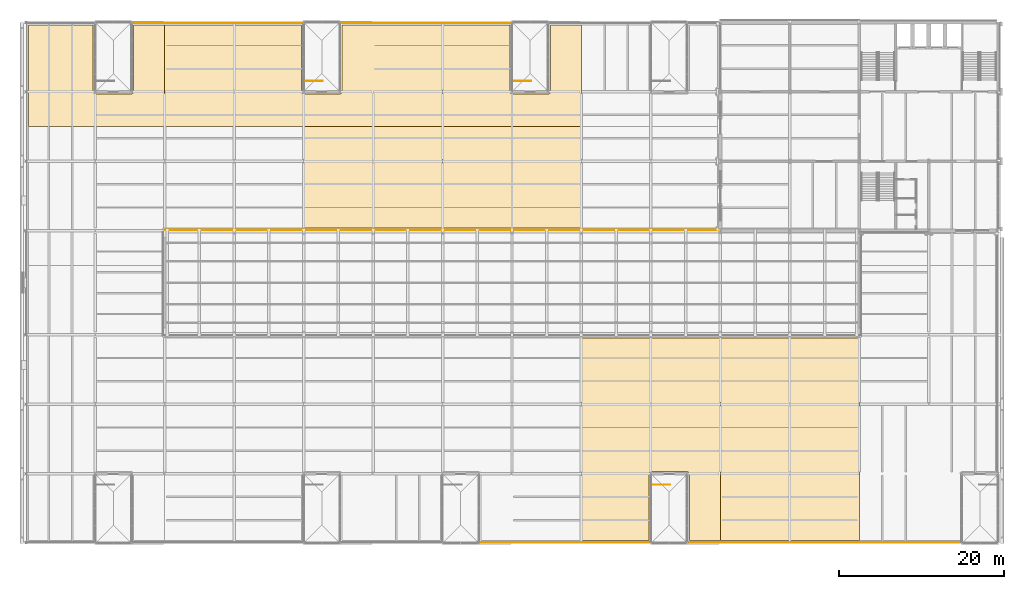
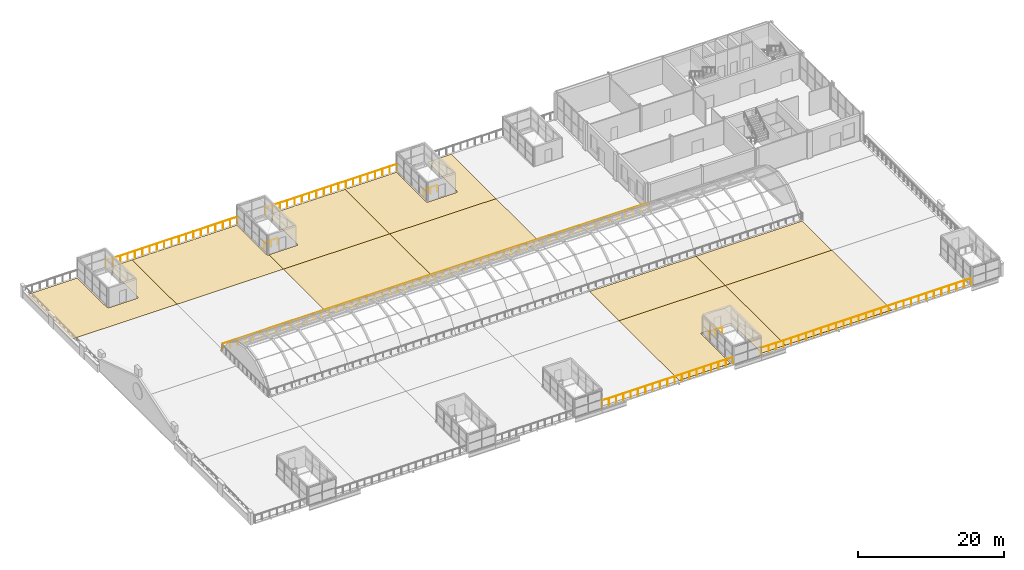
# One storey, part 52 of 58: 10 coverings, 8 railings.
"""IFC4 building model written with IfcOpenShell, lengths in metres."""

import ifcopenshell
import ifcopenshell.guid

model = None  # the IFC model being written
_history = None  # IfcOwnerHistory: only IFC2X3 demands one
_inside = {}  # id of a spatial element -> (the spatial element, [elements in it])
_under = {}  # id of a project, library or spatial element -> (it, [spatial elements below it])
_declared = {}  # id of a project -> (the project, [libraries it declares])
_typed = {}  # id of a type object -> (the type object, [elements of that type])
_made_of = {}  # id of a material, layer set ... -> (it, [elements and type objects made of it])


def new_model(schema):
    """Start an empty IFC model of exactly this schema.

    Asked for "IFC4X3", IfcOpenShell would pick the latest addendum, in which some entities
    have other attributes; the version numbers below select the first issue.
    IFC2X3 requires an IfcOwnerHistory on every rooted entity: one is made here for all.
    """
    global model, _history
    if schema == "IFC4X3":
        model = ifcopenshell.file(schema_version=(4, 3, 0, 0))
    else:
        model = ifcopenshell.file(schema=schema)
    _inside.clear()
    _under.clear()
    _declared.clear()
    _typed.clear()
    _made_of.clear()
    _history = None
    if model.schema == "IFC2X3":
        org = make("IfcOrganization", Name="unknown")
        user = make(
            "IfcPersonAndOrganization",
            ThePerson=make("IfcPerson", FamilyName="unknown"),
            TheOrganization=org,
        )
        app = make(
            "IfcApplication",
            ApplicationDeveloper=org,
            Version="unknown",
            ApplicationFullName="unknown",
            ApplicationIdentifier="unknown",
        )
        _history = make(
            "IfcOwnerHistory",
            OwningUser=user,
            OwningApplication=app,
            ChangeAction="ADDED",
            CreationDate=0,
        )
    return model


def make(cls, **values):
    """One entity of the class cls with the attributes given. An attribute that is None is left unset."""
    return model.create_entity(
        cls, **{name: value for name, value in values.items() if value is not None}
    )


def rooted(cls, **values):
    """An entity with a GlobalId (a new one), such as an element, a storey or a relation."""
    return make(cls, GlobalId=ifcopenshell.guid.new(), OwnerHistory=_history, **values)


def si_unit(unit_type, name, prefix=None):
    """IfcSIUnit, for example si_unit("LENGTHUNIT", "METRE", prefix="MILLI")."""
    return make("IfcSIUnit", UnitType=unit_type, Prefix=prefix, Name=name)


def assignment(units):
    """IfcUnitAssignment: the units of a project."""
    return None if units is None else make("IfcUnitAssignment", Units=units)


def point(xyz):
    """IfcCartesianPoint."""
    return None if xyz is None else make("IfcCartesianPoint", Coordinates=xyz)


def direction(xyz):
    """IfcDirection."""
    return None if xyz is None else make("IfcDirection", DirectionRatios=xyz)


def frame(location, z_axis=None, x_axis=None):
    """IfcAxis2Placement3D, a coordinate frame: its origin and axes. An axis left out is left unset."""
    return make(
        "IfcAxis2Placement3D",
        Location=point(location),
        Axis=direction(z_axis),
        RefDirection=direction(x_axis),
    )


def frame_2d(location, x_axis=None):
    """IfcAxis2Placement2D, a coordinate frame in the plane: its origin and x axis."""
    return make(
        "IfcAxis2Placement2D", Location=point(location), RefDirection=direction(x_axis)
    )


def origin():
    """The frame at (0, 0, 0) with its axes left unset."""
    return frame((0.0, 0.0, 0.0))


def origin_2d():
    """The frame at (0, 0) in the plane with its x axis left unset."""
    return frame_2d((0.0, 0.0))


def place(relative_to, where):
    """IfcLocalPlacement: puts the frame where relative to a parent placement (None: the world)."""
    return make(
        "IfcLocalPlacement", PlacementRelTo=relative_to, RelativePlacement=where
    )


def context(
    kind, dimensions, precision=None, world=None, true_north=None, identifier=None
):
    """IfcGeometricRepresentationContext, for example the 3D "Model" context."""
    return make(
        "IfcGeometricRepresentationContext",
        ContextIdentifier=identifier,
        ContextType=kind,
        CoordinateSpaceDimension=dimensions,
        Precision=precision,
        WorldCoordinateSystem=world,
        TrueNorth=true_north,
    )


def subcontext(parent, identifier, kind, view, scale=None):
    """IfcGeometricRepresentationSubContext, for example "Body" below "Model"."""
    return make(
        "IfcGeometricRepresentationSubContext",
        ContextIdentifier=identifier,
        ContextType=kind,
        ParentContext=parent,
        TargetScale=scale,
        TargetView=view,
    )


def project(units=None, contexts=None):
    """IfcProject with its units and contexts."""
    return rooted(
        "IfcProject",
        Name="project",
        RepresentationContexts=contexts,
        UnitsInContext=assignment(units),
    )


def spatial(cls, under=None, at=None, **own):
    """A site, building, storey or space (cls), placed at a placement, below another one or the project."""
    s = rooted(cls, ObjectPlacement=at, **own)
    if under is not None:
        _under.setdefault(under.id(), (under, []))[1].append(s)
    return s


def polyline(points):
    """IfcPolyline through the points."""
    return make("IfcPolyline", Points=[point(p) for p in points])


def profile(cls, at=None, kind="AREA", **sizes):
    """A parametric profile (cls). Its sizes go by their IFC names, for example OverallWidth=200.0."""
    return make(cls, ProfileType=kind, Position=at, **sizes)


def circle(**sizes):
    """IfcCircleProfileDef."""
    return profile("IfcCircleProfileDef", **sizes)


def outline(outer, holes=None, kind="AREA"):
    """IfcArbitraryClosedProfileDef: a profile drawn as a closed curve; with holes, ...WithVoids."""
    if holes is None:
        return make("IfcArbitraryClosedProfileDef", ProfileType=kind, OuterCurve=outer)
    return make(
        "IfcArbitraryProfileDefWithVoids",
        ProfileType=kind,
        OuterCurve=outer,
        InnerCurves=holes,
    )


def extrude(swept, where, along, depth):
    """IfcExtrudedAreaSolid: the profile swept, set in the frame where, extruded along a direction by depth."""
    return make(
        "IfcExtrudedAreaSolid",
        SweptArea=swept,
        Position=where,
        ExtrudedDirection=direction(along),
        Depth=depth,
    )


def shape(context_of_items, identifier, shape_type, items):
    """IfcShapeRepresentation: the items that make up one representation, for example the "Body"."""
    return make(
        "IfcShapeRepresentation",
        ContextOfItems=context_of_items,
        RepresentationIdentifier=identifier,
        RepresentationType=shape_type,
        Items=items,
    )


def material(Name=None, Category=None):
    """IfcMaterial."""
    return make("IfcMaterial", Name=Name, Category=Category)


def layer(
    of_material, thickness, ventilated=None, Name=None, Category=None, Priority=None
):
    """IfcMaterialLayer: one layer of a wall or slab, of a material (None: an air gap)."""
    return make(
        "IfcMaterialLayer",
        Material=of_material,
        LayerThickness=thickness,
        IsVentilated=ventilated,
        Name=Name,
        Category=Category,
        Priority=Priority,
    )


def layer_set(layers, Name=None):
    """IfcMaterialLayerSet."""
    return make("IfcMaterialLayerSet", MaterialLayers=layers, LayerSetName=Name)


def made_of(thing, what):
    """Note that an element or type object is made of a material, layer set ...; save() writes the relation."""
    if what is not None:
        _made_of.setdefault(what.id(), (what, []))[1].append(thing)
    return thing


def type_object(cls, material=None, **own):
    """A type object (cls), such as IfcWallType, which elements share."""
    return made_of(rooted(cls, **own), material)


def element(
    cls,
    number,
    at=None,
    inside=None,
    cuts=None,
    type_object=None,
    material=None,
    context=None,
    identifier="Body",
    shape_type=None,
    held_by="IfcProductDefinitionShape",
    body=None,
    shapes=None,
    **own,
):
    """One element of the class cls, such as IfcWall. Its Tag is "e" and its number.

    at: its placement. inside: the storey or other place that contains it. cuts: it is an
    opening in that element (IfcRelVoidsElement). A single representation is given by context,
    identifier, shape_type and body (its items); several are given by shapes. held_by: the class
    of the entity that holds the representations. save() writes the other relations.
    """
    e = rooted(cls, Tag="e%d" % number, ObjectPlacement=at, **own)
    if body is not None:
        shapes = [shape(context, identifier, shape_type, body)]
    if shapes is not None:
        e.Representation = make(held_by, Representations=shapes)
    if inside is not None:
        _inside.setdefault(inside.id(), (inside, []))[1].append(e)
    if cuts is not None:
        rooted(
            "IfcRelVoidsElement", RelatingBuildingElement=cuts, RelatedOpeningElement=e
        )
    if type_object is not None:
        _typed.setdefault(type_object.id(), (type_object, []))[1].append(e)
    return made_of(e, material)


def aggregate(whole, parts):
    """IfcRelAggregates: a whole, such as a stair, and the parts it consists of."""
    return rooted("IfcRelAggregates", RelatingObject=whole, RelatedObjects=parts)


def save(model, path):
    """Write the relations noted so far, then the file.

    IfcRelAggregates (storeys below a building ...), IfcRelContainedInSpatialStructure (elements
    in a storey), IfcRelDefinesByType, IfcRelAssociatesMaterial and IfcRelDeclares: one each for
    every whole, place, type object, material and project.
    """
    for whole, parts in _under.values():
        aggregate(whole, parts)
    for where, things in _inside.values():
        rooted(
            "IfcRelContainedInSpatialStructure",
            RelatedElements=things,
            RelatingStructure=where,
        )
    for kind, things in _typed.values():
        rooted("IfcRelDefinesByType", RelatedObjects=things, RelatingType=kind)
    for what, things in _made_of.values():
        rooted("IfcRelAssociatesMaterial", RelatedObjects=things, RelatingMaterial=what)
    for by, libraries in _declared.values():
        rooted("IfcRelDeclares", RelatingContext=by, RelatedDefinitions=libraries)
    model.write(path)


model = new_model("IFC4")

# Units and contexts
model_context = context("Model", 3, precision=1e-05, world=origin(), true_north=direction((0.0, 1.0)))
body_context = subcontext(model_context, "Body", "Model", "MODEL_VIEW")
ifc_project = project(units=[si_unit("LENGTHUNIT", "METRE"), si_unit("AREAUNIT", "SQUARE_METRE"), si_unit("VOLUMEUNIT", "CUBIC_METRE"), si_unit("PLANEANGLEUNIT", "RADIAN"), si_unit("MASSUNIT", "GRAM", prefix="KILO")], contexts=[model_context])

# Site, building, storey
site_placement = place(None, origin())
site = spatial("IfcSite", under=ifc_project, at=site_placement, CompositionType="ELEMENT")
building_placement = place(site_placement, origin())
building = spatial("IfcBuilding", under=site, at=building_placement, Name="Galleria Vessillo Department Store", CompositionType="ELEMENT")
storey_placement = place(building_placement, frame((0.0, 0.0, 31.199951171875)))
storey = spatial("IfcBuildingStorey", under=building, at=storey_placement, Name="L06", CompositionType="ELEMENT", Elevation=31.199951171875)

# Railings
ifc_material_1 = material(Name="Limestone ashlar balusters", Category="masonry")
railing_type_1 = type_object("IfcRailingType", Name="Podium roof balustrade 1200 mm", PredefinedType="BALUSTRADE", material=ifc_material_1)
railing_1_placement = place(storey_placement, frame((54.800048828125, 0.080078125, 0.0)))
element("IfcRailing", 1, at=railing_1_placement, inside=storey, type_object=railing_type_1, Name="Podium roof balustrade L06-04", PredefinedType="BALUSTRADE", context=body_context, shape_type="SweptSolid", body=[
    extrude(circle(Radius=0.02392578125, at=origin_2d()), frame((0.0, 0.0, 1.17578125), z_axis=(1.0, 0.0, 0.0), x_axis=(0.0, 1.0, 0.0)), (0.0, 0.0, 1.0), 20.800048828125),
    extrude(circle(Radius=0.02099609375, at=origin_2d()), origin(), (0.0, 0.0, 1.0), 1.15185546875),
    extrude(circle(Radius=0.02099609375, at=origin_2d()), frame((1.155517578125, 0.0, 0.0)), (0.0, 0.0, 1.0), 1.15185546875),
    extrude(circle(Radius=0.02099609375, at=origin_2d()), frame((2.31103515625, 0.0, 0.0)), (0.0, 0.0, 1.0), 1.15185546875),
    extrude(circle(Radius=0.02099609375, at=origin_2d()), frame((3.466796875, 0.0, 0.0)), (0.0, 0.0, 1.0), 1.15185546875),
    extrude(circle(Radius=0.02099609375, at=origin_2d()), frame((4.622314453125, 0.0, 0.0)), (0.0, 0.0, 1.0), 1.15185546875),
    extrude(circle(Radius=0.02099609375, at=origin_2d()), frame((5.77783203125, 0.0, 0.0)), (0.0, 0.0, 1.0), 1.15185546875),
    extrude(circle(Radius=0.02099609375, at=origin_2d()), frame((6.933349609375, 0.0, 0.0)), (0.0, 0.0, 1.0), 1.15185546875),
    extrude(circle(Radius=0.02099609375, at=origin_2d()), frame((8.0888671875, 0.0, 0.0)), (0.0, 0.0, 1.0), 1.15185546875),
    extrude(circle(Radius=0.02099609375, at=origin_2d()), frame((9.244384765625, 0.0, 0.0)), (0.0, 0.0, 1.0), 1.15185546875),
    extrude(circle(Radius=0.02099609375, at=origin_2d()), frame((10.39990234375, 0.0, 0.0)), (0.0, 0.0, 1.0), 1.15185546875),
    extrude(circle(Radius=0.02099609375, at=origin_2d()), frame((11.5556640625, 0.0, 0.0)), (0.0, 0.0, 1.0), 1.15185546875),
    extrude(circle(Radius=0.02099609375, at=origin_2d()), frame((12.711181640625, 0.0, 0.0)), (0.0, 0.0, 1.0), 1.15185546875),
    extrude(circle(Radius=0.02099609375, at=origin_2d()), frame((13.86669921875, 0.0, 0.0)), (0.0, 0.0, 1.0), 1.15185546875),
    extrude(circle(Radius=0.02099609375, at=origin_2d()), frame((15.022216796875, 0.0, 0.0)), (0.0, 0.0, 1.0), 1.15185546875),
    extrude(circle(Radius=0.02099609375, at=origin_2d()), frame((16.177734375, 0.0, 0.0)), (0.0, 0.0, 1.0), 1.15185546875),
    extrude(circle(Radius=0.02099609375, at=origin_2d()), frame((17.33349609375, 0.0, 0.0)), (0.0, 0.0, 1.0), 1.15185546875),
    extrude(circle(Radius=0.02099609375, at=origin_2d()), frame((18.489013671875, 0.0, 0.0)), (0.0, 0.0, 1.0), 1.15185546875),
    extrude(circle(Radius=0.02099609375, at=origin_2d()), frame((19.64453125, 0.0, 0.0)), (0.0, 0.0, 1.0), 1.15185546875),
    extrude(circle(Radius=0.02099609375, at=origin_2d()), frame((20.800048828125, 0.0, 0.0)), (0.0, 0.0, 1.0), 1.15185546875),
])
railing_2_placement = place(storey_placement, frame((80.0, 0.080078125, 0.0)))
element("IfcRailing", 2, at=railing_2_placement, inside=storey, type_object=railing_type_1, Name="Podium roof balustrade L06-05", PredefinedType="BALUSTRADE", context=body_context, shape_type="SweptSolid", body=[
    extrude(circle(Radius=0.02392578125, at=origin_2d()), frame((0.0, 0.0, 1.17578125), z_axis=(1.0, 0.0, 0.0), x_axis=(0.0, 1.0, 0.0)), (0.0, 0.0, 1.0), 33.199951171875),
    extrude(circle(Radius=0.02099609375, at=origin_2d()), origin(), (0.0, 0.0, 1.0), 1.15185546875),
    extrude(circle(Radius=0.02099609375, at=origin_2d()), frame((1.185791015625, 0.0, 0.0)), (0.0, 0.0, 1.0), 1.15185546875),
    extrude(circle(Radius=0.02099609375, at=origin_2d()), frame((2.371337890625, 0.0, 0.0)), (0.0, 0.0, 1.0), 1.15185546875),
    extrude(circle(Radius=0.02099609375, at=origin_2d()), frame((3.55712890625, 0.0, 0.0)), (0.0, 0.0, 1.0), 1.15185546875),
    extrude(circle(Radius=0.02099609375, at=origin_2d()), frame((4.742919921875, 0.0, 0.0)), (0.0, 0.0, 1.0), 1.15185546875),
    extrude(circle(Radius=0.02099609375, at=origin_2d()), frame((5.928466796875, 0.0, 0.0)), (0.0, 0.0, 1.0), 1.15185546875),
    extrude(circle(Radius=0.02099609375, at=origin_2d()), frame((7.1142578125, 0.0, 0.0)), (0.0, 0.0, 1.0), 1.15185546875),
    extrude(circle(Radius=0.02099609375, at=origin_2d()), frame((8.300048828125, 0.0, 0.0)), (0.0, 0.0, 1.0), 1.15185546875),
    extrude(circle(Radius=0.02099609375, at=origin_2d()), frame((9.485595703125, 0.0, 0.0)), (0.0, 0.0, 1.0), 1.15185546875),
    extrude(circle(Radius=0.02099609375, at=origin_2d()), frame((10.67138671875, 0.0, 0.0)), (0.0, 0.0, 1.0), 1.15185546875),
    extrude(circle(Radius=0.02099609375, at=origin_2d()), frame((11.857177734375, 0.0, 0.0)), (0.0, 0.0, 1.0), 1.15185546875),
    extrude(circle(Radius=0.02099609375, at=origin_2d()), frame((13.042724609375, 0.0, 0.0)), (0.0, 0.0, 1.0), 1.15185546875),
    extrude(circle(Radius=0.02099609375, at=origin_2d()), frame((14.228515625, 0.0, 0.0)), (0.0, 0.0, 1.0), 1.15185546875),
    extrude(circle(Radius=0.02099609375, at=origin_2d()), frame((15.414306640625, 0.0, 0.0)), (0.0, 0.0, 1.0), 1.15185546875),
    extrude(circle(Radius=0.02099609375, at=origin_2d()), frame((16.60009765625, 0.0, 0.0)), (0.0, 0.0, 1.0), 1.15185546875),
    extrude(circle(Radius=0.02099609375, at=origin_2d()), frame((17.78564453125, 0.0, 0.0)), (0.0, 0.0, 1.0), 1.15185546875),
    extrude(circle(Radius=0.02099609375, at=origin_2d()), frame((18.971435546875, 0.0, 0.0)), (0.0, 0.0, 1.0), 1.15185546875),
    extrude(circle(Radius=0.02099609375, at=origin_2d()), frame((20.1572265625, 0.0, 0.0)), (0.0, 0.0, 1.0), 1.15185546875),
    extrude(circle(Radius=0.02099609375, at=origin_2d()), frame((21.3427734375, 0.0, 0.0)), (0.0, 0.0, 1.0), 1.15185546875),
    extrude(circle(Radius=0.02099609375, at=origin_2d()), frame((22.528564453125, 0.0, 0.0)), (0.0, 0.0, 1.0), 1.15185546875),
    extrude(circle(Radius=0.02099609375, at=origin_2d()), frame((23.71435546875, 0.0, 0.0)), (0.0, 0.0, 1.0), 1.15185546875),
    extrude(circle(Radius=0.02099609375, at=origin_2d()), frame((24.89990234375, 0.0, 0.0)), (0.0, 0.0, 1.0), 1.15185546875),
    extrude(circle(Radius=0.02099609375, at=origin_2d()), frame((26.085693359375, 0.0, 0.0)), (0.0, 0.0, 1.0), 1.15185546875),
    extrude(circle(Radius=0.02099609375, at=origin_2d()), frame((27.271484375, 0.0, 0.0)), (0.0, 0.0, 1.0), 1.15185546875),
    extrude(circle(Radius=0.02099609375, at=origin_2d()), frame((28.45703125, 0.0, 0.0)), (0.0, 0.0, 1.0), 1.15185546875),
    extrude(circle(Radius=0.02099609375, at=origin_2d()), frame((29.642822265625, 0.0, 0.0)), (0.0, 0.0, 1.0), 1.15185546875),
    extrude(circle(Radius=0.02099609375, at=origin_2d()), frame((30.82861328125, 0.0, 0.0)), (0.0, 0.0, 1.0), 1.15185546875),
    extrude(circle(Radius=0.02099609375, at=origin_2d()), frame((32.01416015625, 0.0, 0.0)), (0.0, 0.0, 1.0), 1.15185546875),
    extrude(circle(Radius=0.02099609375, at=origin_2d()), frame((33.199951171875, 0.0, 0.0)), (0.0, 0.0, 1.0), 1.15185546875),
])
railing_3_placement = place(storey_placement, frame((12.800048828125, 62.919921875, 0.0)))
element("IfcRailing", 3, at=railing_3_placement, inside=storey, type_object=railing_type_1, Name="Podium roof balustrade L06-08", PredefinedType="BALUSTRADE", context=body_context, shape_type="SweptSolid", body=[
    extrude(circle(Radius=0.02392578125, at=origin_2d()), frame((0.0, 0.0, 1.17578125), z_axis=(1.0, 0.0, 0.0), x_axis=(0.0, 1.0, 0.0)), (0.0, 0.0, 1.0), 20.800048828125),
    extrude(circle(Radius=0.02099609375, at=origin_2d()), origin(), (0.0, 0.0, 1.0), 1.15185546875),
    extrude(circle(Radius=0.02099609375, at=origin_2d()), frame((1.155517578125, 0.0, 0.0)), (0.0, 0.0, 1.0), 1.15185546875),
    extrude(circle(Radius=0.02099609375, at=origin_2d()), frame((2.31103515625, 0.0, 0.0)), (0.0, 0.0, 1.0), 1.15185546875),
    extrude(circle(Radius=0.02099609375, at=origin_2d()), frame((3.466796875, 0.0, 0.0)), (0.0, 0.0, 1.0), 1.15185546875),
    extrude(circle(Radius=0.02099609375, at=origin_2d()), frame((4.622314453125, 0.0, 0.0)), (0.0, 0.0, 1.0), 1.15185546875),
    extrude(circle(Radius=0.02099609375, at=origin_2d()), frame((5.77783203125, 0.0, 0.0)), (0.0, 0.0, 1.0), 1.15185546875),
    extrude(circle(Radius=0.02099609375, at=origin_2d()), frame((6.933349609375, 0.0, 0.0)), (0.0, 0.0, 1.0), 1.15185546875),
    extrude(circle(Radius=0.02099609375, at=origin_2d()), frame((8.0888671875, 0.0, 0.0)), (0.0, 0.0, 1.0), 1.15185546875),
    extrude(circle(Radius=0.02099609375, at=origin_2d()), frame((9.244384765625, 0.0, 0.0)), (0.0, 0.0, 1.0), 1.15185546875),
    extrude(circle(Radius=0.02099609375, at=origin_2d()), frame((10.39990234375, 0.0, 0.0)), (0.0, 0.0, 1.0), 1.15185546875),
    extrude(circle(Radius=0.02099609375, at=origin_2d()), frame((11.5556640625, 0.0, 0.0)), (0.0, 0.0, 1.0), 1.15185546875),
    extrude(circle(Radius=0.02099609375, at=origin_2d()), frame((12.711181640625, 0.0, 0.0)), (0.0, 0.0, 1.0), 1.15185546875),
    extrude(circle(Radius=0.02099609375, at=origin_2d()), frame((13.86669921875, 0.0, 0.0)), (0.0, 0.0, 1.0), 1.15185546875),
    extrude(circle(Radius=0.02099609375, at=origin_2d()), frame((15.022216796875, 0.0, 0.0)), (0.0, 0.0, 1.0), 1.15185546875),
    extrude(circle(Radius=0.02099609375, at=origin_2d()), frame((16.177734375, 0.0, 0.0)), (0.0, 0.0, 1.0), 1.15185546875),
    extrude(circle(Radius=0.02099609375, at=origin_2d()), frame((17.33349609375, 0.0, 0.0)), (0.0, 0.0, 1.0), 1.15185546875),
    extrude(circle(Radius=0.02099609375, at=origin_2d()), frame((18.489013671875, 0.0, 0.0)), (0.0, 0.0, 1.0), 1.15185546875),
    extrude(circle(Radius=0.02099609375, at=origin_2d()), frame((19.64453125, 0.0, 0.0)), (0.0, 0.0, 1.0), 1.15185546875),
    extrude(circle(Radius=0.02099609375, at=origin_2d()), frame((20.800048828125, 0.0, 0.0)), (0.0, 0.0, 1.0), 1.15185546875),
])
railing_4_placement = place(storey_placement, frame((38.0, 62.919921875, 0.0)))
element("IfcRailing", 4, at=railing_4_placement, inside=storey, type_object=railing_type_1, Name="Podium roof balustrade L06-09", PredefinedType="BALUSTRADE", context=body_context, shape_type="SweptSolid", body=[
    extrude(circle(Radius=0.02392578125, at=origin_2d()), frame((0.0, 0.0, 1.17578125), z_axis=(1.0, 0.0, 0.0), x_axis=(0.0, 1.0, 0.0)), (0.0, 0.0, 1.0), 20.800048828125),
    extrude(circle(Radius=0.02099609375, at=origin_2d()), origin(), (0.0, 0.0, 1.0), 1.15185546875),
    extrude(circle(Radius=0.02099609375, at=origin_2d()), frame((1.155517578125, 0.0, 0.0)), (0.0, 0.0, 1.0), 1.15185546875),
    extrude(circle(Radius=0.02099609375, at=origin_2d()), frame((2.31103515625, 0.0, 0.0)), (0.0, 0.0, 1.0), 1.15185546875),
    extrude(circle(Radius=0.02099609375, at=origin_2d()), frame((3.466796875, 0.0, 0.0)), (0.0, 0.0, 1.0), 1.15185546875),
    extrude(circle(Radius=0.02099609375, at=origin_2d()), frame((4.622314453125, 0.0, 0.0)), (0.0, 0.0, 1.0), 1.15185546875),
    extrude(circle(Radius=0.02099609375, at=origin_2d()), frame((5.77783203125, 0.0, 0.0)), (0.0, 0.0, 1.0), 1.15185546875),
    extrude(circle(Radius=0.02099609375, at=origin_2d()), frame((6.933349609375, 0.0, 0.0)), (0.0, 0.0, 1.0), 1.15185546875),
    extrude(circle(Radius=0.02099609375, at=origin_2d()), frame((8.0888671875, 0.0, 0.0)), (0.0, 0.0, 1.0), 1.15185546875),
    extrude(circle(Radius=0.02099609375, at=origin_2d()), frame((9.244384765625, 0.0, 0.0)), (0.0, 0.0, 1.0), 1.15185546875),
    extrude(circle(Radius=0.02099609375, at=origin_2d()), frame((10.39990234375, 0.0, 0.0)), (0.0, 0.0, 1.0), 1.15185546875),
    extrude(circle(Radius=0.02099609375, at=origin_2d()), frame((11.5556640625, 0.0, 0.0)), (0.0, 0.0, 1.0), 1.15185546875),
    extrude(circle(Radius=0.02099609375, at=origin_2d()), frame((12.711181640625, 0.0, 0.0)), (0.0, 0.0, 1.0), 1.15185546875),
    extrude(circle(Radius=0.02099609375, at=origin_2d()), frame((13.86669921875, 0.0, 0.0)), (0.0, 0.0, 1.0), 1.15185546875),
    extrude(circle(Radius=0.02099609375, at=origin_2d()), frame((15.022216796875, 0.0, 0.0)), (0.0, 0.0, 1.0), 1.15185546875),
    extrude(circle(Radius=0.02099609375, at=origin_2d()), frame((16.177734375, 0.0, 0.0)), (0.0, 0.0, 1.0), 1.15185546875),
    extrude(circle(Radius=0.02099609375, at=origin_2d()), frame((17.33349609375, 0.0, 0.0)), (0.0, 0.0, 1.0), 1.15185546875),
    extrude(circle(Radius=0.02099609375, at=origin_2d()), frame((18.489013671875, 0.0, 0.0)), (0.0, 0.0, 1.0), 1.15185546875),
    extrude(circle(Radius=0.02099609375, at=origin_2d()), frame((19.64453125, 0.0, 0.0)), (0.0, 0.0, 1.0), 1.15185546875),
    extrude(circle(Radius=0.02099609375, at=origin_2d()), frame((20.800048828125, 0.0, 0.0)), (0.0, 0.0, 1.0), 1.15185546875),
])

# Coverings
ifc_material_2 = material(Name="Serizzo granite paving", Category="masonry")
ifc_layer = layer(ifc_material_2, 0.0400390625)
ifc_layer_set = layer_set([ifc_layer], Name="Serizzo granite paving")
covering_type = type_object("IfcCoveringType", Name="Serizzo stone terrace paving 40 mm", PredefinedType="FLOORING", material=ifc_layer_set)
covering_1_placement = place(storey_placement, origin())
element("IfcCovering", 5, at=covering_1_placement, inside=storey, type_object=covering_type, Name="Terrace paving L06 field 4", PredefinedType="FLOORING", context=body_context, shape_type="SweptSolid", body=[
    extrude(outline(polyline([(0.35009765625, 62.64990234375), (8.14990234375, 62.64990234375), (8.14990234375, 54.60009765625), (8.151123046875, 54.57568359375), (8.15478515625, 54.55126953125), (8.16064453125, 54.527587890625), (8.1689453125, 54.50439453125), (8.179443359375, 54.482177734375), (8.192138671875, 54.461181640625), (8.20654296875, 54.44140625), (8.22314453125, 54.42333984375), (8.2412109375, 54.40673828125), (8.260986328125, 54.392333984375), (8.281982421875, 54.379638671875), (8.30419921875, 54.369140625), (8.327392578125, 54.36083984375), (8.35107421875, 54.35498046875), (8.37548828125, 54.351318359375), (8.39990234375, 54.35009765625), (8.449951171875, 54.35009765625), (8.449951171875, 54.35009765625), (12.75, 54.35009765625), (12.75, 54.35009765625), (12.800048828125, 54.35009765625), (12.824462890625, 54.351318359375), (12.848876953125, 54.35498046875), (12.87255859375, 54.36083984375), (12.895751953125, 54.369140625), (12.91796875, 54.379638671875), (12.93896484375, 54.392333984375), (12.958740234375, 54.40673828125), (12.976806640625, 54.42333984375), (12.993408203125, 54.44140625), (13.0078125, 54.461181640625), (13.0205078125, 54.482177734375), (13.031005859375, 54.50439453125), (13.039306640625, 54.527587890625), (13.045166015625, 54.55126953125), (13.048828125, 54.57568359375), (13.050048828125, 54.60009765625), (13.050048828125, 62.64990234375), (16.800048828125, 62.64990234375), (16.800048828125, 50.39990234375), (0.35009765625, 50.39990234375), (0.35009765625, 62.64990234375)])), origin(), (0.0, 0.0, 1.0), 0.0400390625),
])
covering_2_placement = place(storey_placement, origin())
element("IfcCovering", 6, at=covering_2_placement, inside=storey, type_object=covering_type, Name="Terrace paving L06 field 8", PredefinedType="FLOORING", context=body_context, shape_type="SweptSolid", body=[
    extrude(outline(polyline([(33.35009765625, 62.64990234375), (33.35009765625, 54.60009765625), (33.351318359375, 54.57568359375), (33.35498046875, 54.55126953125), (33.36083984375, 54.527587890625), (33.369140625, 54.50439453125), (33.379638671875, 54.482177734375), (33.392333984375, 54.461181640625), (33.40673828125, 54.44140625), (33.42333984375, 54.42333984375), (33.44140625, 54.40673828125), (33.461181640625, 54.392333984375), (33.482177734375, 54.379638671875), (33.50439453125, 54.369140625), (33.527587890625, 54.36083984375), (33.55126953125, 54.35498046875), (33.57568359375, 54.351318359375), (33.60009765625, 54.35009765625), (33.60009765625, 50.39990234375), (16.800048828125, 50.39990234375), (16.800048828125, 62.64990234375), (33.35009765625, 62.64990234375)])), origin(), (0.0, 0.0, 1.0), 0.0400390625),
])
covering_3_placement = place(storey_placement, origin())
element("IfcCovering", 7, at=covering_3_placement, inside=storey, type_object=covering_type, Name="Terrace paving L06 field 11", PredefinedType="FLOORING", context=body_context, shape_type="SweptSolid", body=[
    extrude(outline(polyline([(33.60009765625, 38.150146484375), (33.60009765625, 50.39990234375), (50.39990234375, 50.39990234375), (50.39990234375, 38.150146484375), (33.60009765625, 38.150146484375)])), origin(), (0.0, 0.0, 1.0), 0.0400390625),
])
covering_4_placement = place(storey_placement, origin())
element("IfcCovering", 8, at=covering_4_placement, inside=storey, type_object=covering_type, Name="Terrace paving L06 field 12", PredefinedType="FLOORING", context=body_context, shape_type="SweptSolid", body=[
    extrude(outline(polyline([(33.60009765625, 54.35009765625), (33.650146484375, 54.35009765625), (33.650146484375, 54.35009765625), (37.949951171875, 54.35009765625), (37.949951171875, 54.35009765625), (38.0, 54.35009765625), (38.0244140625, 54.351318359375), (38.048828125, 54.35498046875), (38.072509765625, 54.36083984375), (38.095703125, 54.369140625), (38.117919921875, 54.379638671875), (38.138916015625, 54.392333984375), (38.15869140625, 54.40673828125), (38.1767578125, 54.42333984375), (38.193359375, 54.44140625), (38.207763671875, 54.461181640625), (38.220458984375, 54.482177734375), (38.23095703125, 54.50439453125), (38.2392578125, 54.527587890625), (38.2451171875, 54.55126953125), (38.248779296875, 54.57568359375), (38.25, 54.60009765625), (38.25, 62.64990234375), (50.39990234375, 62.64990234375), (50.39990234375, 50.39990234375), (33.60009765625, 50.39990234375), (33.60009765625, 54.35009765625), (33.60009765625, 54.35009765625)])), origin(), (0.0, 0.0, 1.0), 0.0400390625),
])
covering_5_placement = place(storey_placement, origin())
element("IfcCovering", 9, at=covering_5_placement, inside=storey, type_object=covering_type, Name="Terrace paving L06 field 15", PredefinedType="FLOORING", context=body_context, shape_type="SweptSolid", body=[
    extrude(outline(polyline([(50.39990234375, 38.150146484375), (50.39990234375, 50.39990234375), (67.199951171875, 50.39990234375), (67.199951171875, 38.150146484375), (50.39990234375, 38.150146484375)])), origin(), (0.0, 0.0, 1.0), 0.0400390625),
])
covering_6_placement = place(storey_placement, origin())
element("IfcCovering", 10, at=covering_6_placement, inside=storey, type_object=covering_type, Name="Terrace paving L06 field 16", PredefinedType="FLOORING", context=body_context, shape_type="SweptSolid", body=[
    extrude(outline(polyline([(58.550048828125, 62.64990234375), (58.550048828125, 54.60009765625), (58.55126953125, 54.57568359375), (58.554931640625, 54.55126953125), (58.560791015625, 54.527587890625), (58.569091796875, 54.50439453125), (58.57958984375, 54.482177734375), (58.59228515625, 54.461181640625), (58.606689453125, 54.44140625), (58.623291015625, 54.42333984375), (58.641357421875, 54.40673828125), (58.6611328125, 54.392333984375), (58.68212890625, 54.379638671875), (58.704345703125, 54.369140625), (58.7275390625, 54.36083984375), (58.751220703125, 54.35498046875), (58.775634765625, 54.351318359375), (58.800048828125, 54.35009765625), (58.85009765625, 54.35009765625), (58.85009765625, 54.35009765625), (63.14990234375, 54.35009765625), (63.14990234375, 54.35009765625), (63.199951171875, 54.35009765625), (63.224365234375, 54.351318359375), (63.248779296875, 54.35498046875), (63.2724609375, 54.36083984375), (63.295654296875, 54.369140625), (63.31787109375, 54.379638671875), (63.3388671875, 54.392333984375), (63.358642578125, 54.40673828125), (63.376708984375, 54.42333984375), (63.393310546875, 54.44140625), (63.40771484375, 54.461181640625), (63.42041015625, 54.482177734375), (63.430908203125, 54.50439453125), (63.439208984375, 54.527587890625), (63.445068359375, 54.55126953125), (63.44873046875, 54.57568359375), (63.449951171875, 54.60009765625), (63.449951171875, 55.9970703125), (63.4501953125, 56.0), (63.4501953125, 62.64990234375), (67.199951171875, 62.64990234375), (67.199951171875, 50.39990234375), (50.39990234375, 50.39990234375), (50.39990234375, 62.64990234375), (58.550048828125, 62.64990234375)])), origin(), (0.0, 0.0, 1.0), 0.0400390625),
])
covering_7_placement = place(storey_placement, origin())
element("IfcCovering", 11, at=covering_7_placement, inside=storey, type_object=covering_type, Name="Terrace paving L06 field 17", PredefinedType="FLOORING", context=body_context, shape_type="SweptSolid", body=[
    extrude(outline(polyline([(80.25, 0.35009765625), (80.25, 8.39990234375), (80.248779296875, 8.42431640625), (80.2451171875, 8.44873046875), (80.2392578125, 8.472412109375), (80.23095703125, 8.49560546875), (80.220458984375, 8.517822265625), (80.207763671875, 8.538818359375), (80.193359375, 8.55859375), (80.1767578125, 8.57666015625), (80.15869140625, 8.59326171875), (80.138916015625, 8.607666015625), (80.117919921875, 8.620361328125), (80.095703125, 8.630859375), (80.072509765625, 8.63916015625), (80.048828125, 8.64501953125), (80.0244140625, 8.648681640625), (80.0, 8.64990234375), (79.949951171875, 8.64990234375), (79.949951171875, 8.64990234375), (75.650146484375, 8.64990234375), (75.650146484375, 8.64990234375), (75.60009765625, 8.64990234375), (75.57568359375, 8.648681640625), (75.55126953125, 8.64501953125), (75.527587890625, 8.63916015625), (75.50439453125, 8.630859375), (75.482177734375, 8.620361328125), (75.461181640625, 8.607666015625), (75.44140625, 8.59326171875), (75.42333984375, 8.57666015625), (75.40673828125, 8.55859375), (75.392333984375, 8.538818359375), (75.379638671875, 8.517822265625), (75.369140625, 8.49560546875), (75.36083984375, 8.472412109375), (75.35498046875, 8.44873046875), (75.351318359375, 8.42431640625), (75.35009765625, 8.39990234375), (75.35009765625, 0.35009765625), (67.199951171875, 0.35009765625), (67.199951171875, 16.800048828125), (84.0, 16.800048828125), (84.0, 0.35009765625), (80.25, 0.35009765625)])), origin(), (0.0, 0.0, 1.0), 0.0400390625),
])
covering_8_placement = place(storey_placement, origin())
element("IfcCovering", 12, at=covering_8_placement, inside=storey, type_object=covering_type, Name="Terrace paving L06 field 18", PredefinedType="FLOORING", context=body_context, shape_type="SweptSolid", body=[
    extrude(outline(polyline([(84.0, 24.849853515625), (84.0, 16.800048828125), (67.199951171875, 16.800048828125), (67.199951171875, 24.849853515625), (84.0, 24.849853515625)])), origin(), (0.0, 0.0, 1.0), 0.0400390625),
])
covering_9_placement = place(storey_placement, origin())
element("IfcCovering", 13, at=covering_9_placement, inside=storey, type_object=covering_type, Name="Terrace paving L06 field 21", PredefinedType="FLOORING", context=body_context, shape_type="SweptSolid", body=[
    extrude(outline(polyline([(84.0, 0.35009765625), (84.0, 16.800048828125), (100.800048828125, 16.800048828125), (100.800048828125, 0.35009765625), (84.0, 0.35009765625)])), origin(), (0.0, 0.0, 1.0), 0.0400390625),
])
covering_10_placement = place(storey_placement, origin())
element("IfcCovering", 14, at=covering_10_placement, inside=storey, type_object=covering_type, Name="Terrace paving L06 field 22", PredefinedType="FLOORING", context=body_context, shape_type="SweptSolid", body=[
    extrude(outline(polyline([(100.800048828125, 24.849853515625), (100.800048828125, 16.800048828125), (84.0, 16.800048828125), (84.0, 24.849853515625), (100.800048828125, 24.849853515625)])), origin(), (0.0, 0.0, 1.0), 0.0400390625),
])

# Railings
ifc_material_3 = material(Name="Stainless steel tube", Category="steel")
railing_type_2 = type_object("IfcRailingType", Name="Stair well guard 1100 mm", PredefinedType="GUARDRAIL", material=ifc_material_3)
for number, where, name in (
    (15, (33.800048828125, 55.919921875, 0.0), "Stair well guard ST4 L06"),
    (16, (75.800048828125, 7.080078125, 0.0), "Stair well guard ST5 L06"),
    (17, (59.0, 55.919921875, 0.0), "Stair well guard ST11 L06"),
):
    element("IfcRailing", number, at=place(storey_placement, frame(where)), inside=storey, type_object=railing_type_2, Name=name, PredefinedType="GUARDRAIL", context=body_context, shape_type="SweptSolid", body=[
        extrude(circle(Radius=0.02392578125, at=origin_2d()), frame((0.0, 0.0, 1.076171875), z_axis=(1.0, 0.0, 0.0), x_axis=(0.0, 1.0, 0.0)), (0.0, 0.0, 1.0), 2.10009765625),
        extrude(circle(Radius=0.02099609375, at=origin_2d()), origin(), (0.0, 0.0, 1.0), 1.052001953125),
        extrude(circle(Radius=0.02099609375, at=origin_2d()), frame((1.050048828125, 0.0, 0.0)), (0.0, 0.0, 1.0), 1.052001953125),
        extrude(circle(Radius=0.02099609375, at=origin_2d()), frame((2.10009765625, 0.0, 0.0)), (0.0, 0.0, 1.0), 1.052001953125),
    ])
ifc_material_4 = material(Name="Stainless steel tube", Category="steel")
railing_type_3 = type_object("IfcRailingType", Name="Vault edge guard 1100 mm", PredefinedType="GUARDRAIL", material=ifc_material_4)
railing_5_placement = place(storey_placement, frame((16.800048828125, 37.880126953125, 0.0)))
element("IfcRailing", 18, at=railing_5_placement, inside=storey, type_object=railing_type_3, Name="Vault edge guard L06-14", PredefinedType="GUARDRAIL", context=body_context, shape_type="SweptSolid", body=[
    extrude(circle(Radius=0.02392578125, at=origin_2d()), frame((0.0, 0.0, 1.076171875), z_axis=(1.0, 0.0, 0.0), x_axis=(0.0, 1.0, 0.0)), (0.0, 0.0, 1.0), 67.199951171875),
    extrude(circle(Radius=0.02099609375, at=origin_2d()), origin(), (0.0, 0.0, 1.0), 1.052001953125),
    extrude(circle(Radius=0.02099609375, at=origin_2d()), frame((1.199951171875, 0.0, 0.0)), (0.0, 0.0, 1.0), 1.052001953125),
    extrude(circle(Radius=0.02099609375, at=origin_2d()), frame((2.39990234375, 0.0, 0.0)), (0.0, 0.0, 1.0), 1.052001953125),
    extrude(circle(Radius=0.02099609375, at=origin_2d()), frame((3.60009765625, 0.0, 0.0)), (0.0, 0.0, 1.0), 1.052001953125),
    extrude(circle(Radius=0.02099609375, at=origin_2d()), frame((4.800048828125, 0.0, 0.0)), (0.0, 0.0, 1.0), 1.052001953125),
    extrude(circle(Radius=0.02099609375, at=origin_2d()), frame((6.0, 0.0, 0.0)), (0.0, 0.0, 1.0), 1.052001953125),
    extrude(circle(Radius=0.02099609375, at=origin_2d()), frame((7.199951171875, 0.0, 0.0)), (0.0, 0.0, 1.0), 1.052001953125),
    extrude(circle(Radius=0.02099609375, at=origin_2d()), frame((8.39990234375, 0.0, 0.0)), (0.0, 0.0, 1.0), 1.052001953125),
    extrude(circle(Radius=0.02099609375, at=origin_2d()), frame((9.60009765625, 0.0, 0.0)), (0.0, 0.0, 1.0), 1.052001953125),
    extrude(circle(Radius=0.02099609375, at=origin_2d()), frame((10.800048828125, 0.0, 0.0)), (0.0, 0.0, 1.0), 1.052001953125),
    extrude(circle(Radius=0.02099609375, at=origin_2d()), frame((12.0, 0.0, 0.0)), (0.0, 0.0, 1.0), 1.052001953125),
    extrude(circle(Radius=0.02099609375, at=origin_2d()), frame((13.199951171875, 0.0, 0.0)), (0.0, 0.0, 1.0), 1.052001953125),
    extrude(circle(Radius=0.02099609375, at=origin_2d()), frame((14.39990234375, 0.0, 0.0)), (0.0, 0.0, 1.0), 1.052001953125),
    extrude(circle(Radius=0.02099609375, at=origin_2d()), frame((15.60009765625, 0.0, 0.0)), (0.0, 0.0, 1.0), 1.052001953125),
    extrude(circle(Radius=0.02099609375, at=origin_2d()), frame((16.800048828125, 0.0, 0.0)), (0.0, 0.0, 1.0), 1.052001953125),
    extrude(circle(Radius=0.02099609375, at=origin_2d()), frame((18.0, 0.0, 0.0)), (0.0, 0.0, 1.0), 1.052001953125),
    extrude(circle(Radius=0.02099609375, at=origin_2d()), frame((19.199951171875, 0.0, 0.0)), (0.0, 0.0, 1.0), 1.052001953125),
    extrude(circle(Radius=0.02099609375, at=origin_2d()), frame((20.39990234375, 0.0, 0.0)), (0.0, 0.0, 1.0), 1.052001953125),
    extrude(circle(Radius=0.02099609375, at=origin_2d()), frame((21.60009765625, 0.0, 0.0)), (0.0, 0.0, 1.0), 1.052001953125),
    extrude(circle(Radius=0.02099609375, at=origin_2d()), frame((22.800048828125, 0.0, 0.0)), (0.0, 0.0, 1.0), 1.052001953125),
    extrude(circle(Radius=0.02099609375, at=origin_2d()), frame((24.0, 0.0, 0.0)), (0.0, 0.0, 1.0), 1.052001953125),
    extrude(circle(Radius=0.02099609375, at=origin_2d()), frame((25.199951171875, 0.0, 0.0)), (0.0, 0.0, 1.0), 1.052001953125),
    extrude(circle(Radius=0.02099609375, at=origin_2d()), frame((26.39990234375, 0.0, 0.0)), (0.0, 0.0, 1.0), 1.052001953125),
    extrude(circle(Radius=0.02099609375, at=origin_2d()), frame((27.60009765625, 0.0, 0.0)), (0.0, 0.0, 1.0), 1.052001953125),
    extrude(circle(Radius=0.02099609375, at=origin_2d()), frame((28.800048828125, 0.0, 0.0)), (0.0, 0.0, 1.0), 1.052001953125),
    extrude(circle(Radius=0.02099609375, at=origin_2d()), frame((30.0, 0.0, 0.0)), (0.0, 0.0, 1.0), 1.052001953125),
    extrude(circle(Radius=0.02099609375, at=origin_2d()), frame((31.199951171875, 0.0, 0.0)), (0.0, 0.0, 1.0), 1.052001953125),
    extrude(circle(Radius=0.02099609375, at=origin_2d()), frame((32.39990234375, 0.0, 0.0)), (0.0, 0.0, 1.0), 1.052001953125),
    extrude(circle(Radius=0.02099609375, at=origin_2d()), frame((33.60009765625, 0.0, 0.0)), (0.0, 0.0, 1.0), 1.052001953125),
    extrude(circle(Radius=0.02099609375, at=origin_2d()), frame((34.800048828125, 0.0, 0.0)), (0.0, 0.0, 1.0), 1.052001953125),
    extrude(circle(Radius=0.02099609375, at=origin_2d()), frame((36.0, 0.0, 0.0)), (0.0, 0.0, 1.0), 1.052001953125),
    extrude(circle(Radius=0.02099609375, at=origin_2d()), frame((37.199951171875, 0.0, 0.0)), (0.0, 0.0, 1.0), 1.052001953125),
    extrude(circle(Radius=0.02099609375, at=origin_2d()), frame((38.39990234375, 0.0, 0.0)), (0.0, 0.0, 1.0), 1.052001953125),
    extrude(circle(Radius=0.02099609375, at=origin_2d()), frame((39.599853515625, 0.0, 0.0)), (0.0, 0.0, 1.0), 1.052001953125),
    extrude(circle(Radius=0.02099609375, at=origin_2d()), frame((40.800048828125, 0.0, 0.0)), (0.0, 0.0, 1.0), 1.052001953125),
    extrude(circle(Radius=0.02099609375, at=origin_2d()), frame((42.0, 0.0, 0.0)), (0.0, 0.0, 1.0), 1.052001953125),
    extrude(circle(Radius=0.02099609375, at=origin_2d()), frame((43.199951171875, 0.0, 0.0)), (0.0, 0.0, 1.0), 1.052001953125),
    extrude(circle(Radius=0.02099609375, at=origin_2d()), frame((44.39990234375, 0.0, 0.0)), (0.0, 0.0, 1.0), 1.052001953125),
    extrude(circle(Radius=0.02099609375, at=origin_2d()), frame((45.599853515625, 0.0, 0.0)), (0.0, 0.0, 1.0), 1.052001953125),
    extrude(circle(Radius=0.02099609375, at=origin_2d()), frame((46.800048828125, 0.0, 0.0)), (0.0, 0.0, 1.0), 1.052001953125),
    extrude(circle(Radius=0.02099609375, at=origin_2d()), frame((48.0, 0.0, 0.0)), (0.0, 0.0, 1.0), 1.052001953125),
    extrude(circle(Radius=0.02099609375, at=origin_2d()), frame((49.199951171875, 0.0, 0.0)), (0.0, 0.0, 1.0), 1.052001953125),
    extrude(circle(Radius=0.02099609375, at=origin_2d()), frame((50.39990234375, 0.0, 0.0)), (0.0, 0.0, 1.0), 1.052001953125),
    extrude(circle(Radius=0.02099609375, at=origin_2d()), frame((51.599853515625, 0.0, 0.0)), (0.0, 0.0, 1.0), 1.052001953125),
    extrude(circle(Radius=0.02099609375, at=origin_2d()), frame((52.800048828125, 0.0, 0.0)), (0.0, 0.0, 1.0), 1.052001953125),
    extrude(circle(Radius=0.02099609375, at=origin_2d()), frame((54.0, 0.0, 0.0)), (0.0, 0.0, 1.0), 1.052001953125),
    extrude(circle(Radius=0.02099609375, at=origin_2d()), frame((55.199951171875, 0.0, 0.0)), (0.0, 0.0, 1.0), 1.052001953125),
    extrude(circle(Radius=0.02099609375, at=origin_2d()), frame((56.39990234375, 0.0, 0.0)), (0.0, 0.0, 1.0), 1.052001953125),
    extrude(circle(Radius=0.02099609375, at=origin_2d()), frame((57.599853515625, 0.0, 0.0)), (0.0, 0.0, 1.0), 1.052001953125),
    extrude(circle(Radius=0.02099609375, at=origin_2d()), frame((58.800048828125, 0.0, 0.0)), (0.0, 0.0, 1.0), 1.052001953125),
    extrude(circle(Radius=0.02099609375, at=origin_2d()), frame((60.0, 0.0, 0.0)), (0.0, 0.0, 1.0), 1.052001953125),
    extrude(circle(Radius=0.02099609375, at=origin_2d()), frame((61.199951171875, 0.0, 0.0)), (0.0, 0.0, 1.0), 1.052001953125),
    extrude(circle(Radius=0.02099609375, at=origin_2d()), frame((62.39990234375, 0.0, 0.0)), (0.0, 0.0, 1.0), 1.052001953125),
    extrude(circle(Radius=0.02099609375, at=origin_2d()), frame((63.599853515625, 0.0, 0.0)), (0.0, 0.0, 1.0), 1.052001953125),
    extrude(circle(Radius=0.02099609375, at=origin_2d()), frame((64.800048828125, 0.0, 0.0)), (0.0, 0.0, 1.0), 1.052001953125),
    extrude(circle(Radius=0.02099609375, at=origin_2d()), frame((66.0, 0.0, 0.0)), (0.0, 0.0, 1.0), 1.052001953125),
    extrude(circle(Radius=0.02099609375, at=origin_2d()), frame((67.199951171875, 0.0, 0.0)), (0.0, 0.0, 1.0), 1.052001953125),
])

save(model, "model.ifc")
